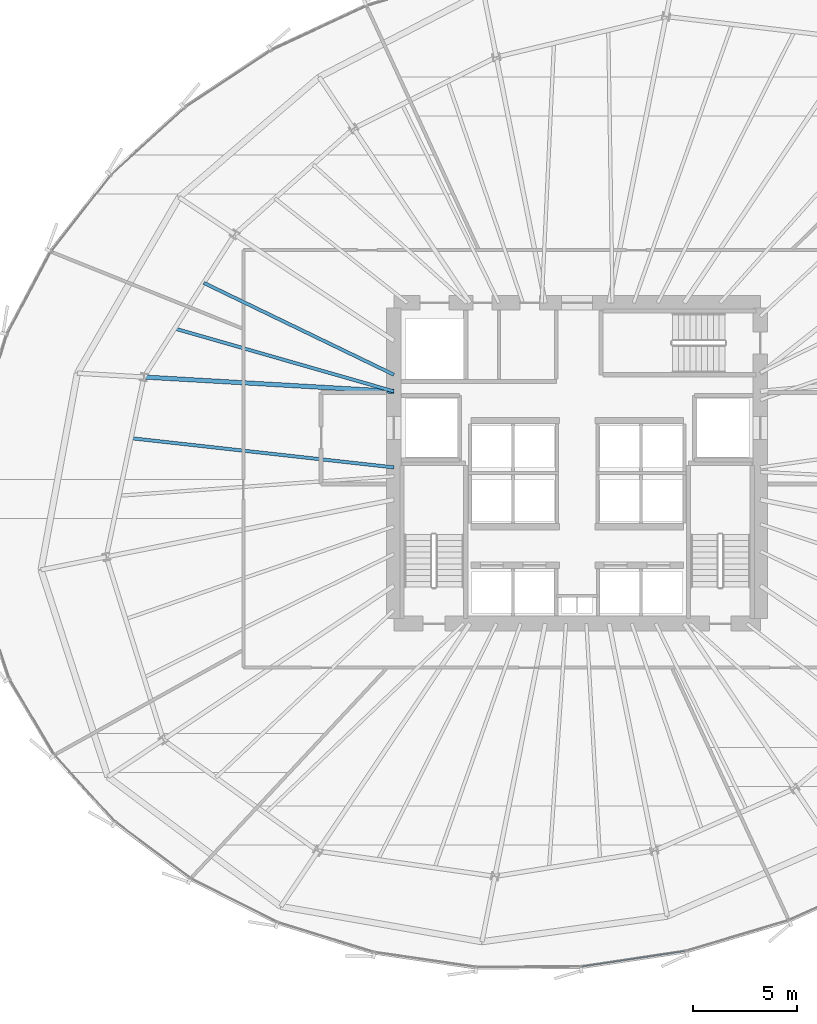
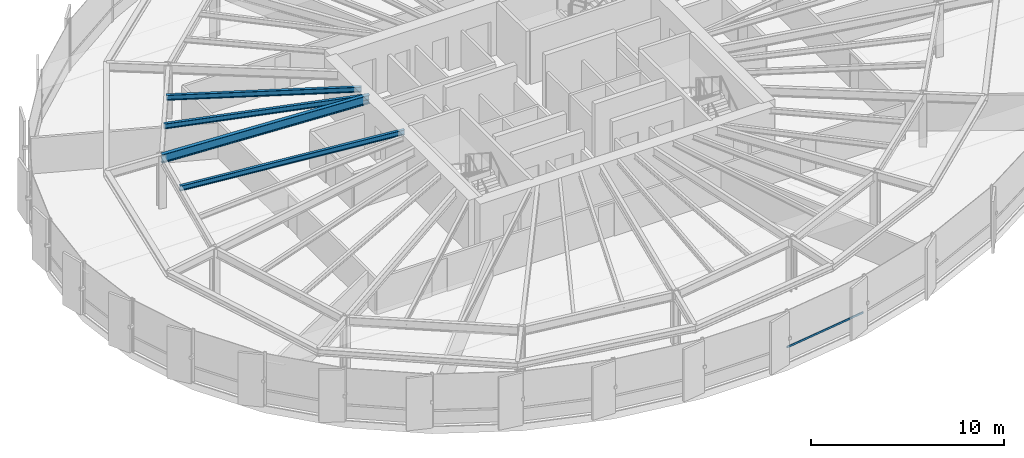
# One storey, part 10 of 35: 4 beams, 1 member, 1 element without a shape of its own.
"""IFC4 building model written with IfcOpenShell, lengths in metres."""

from ifc_helpers import new_model, si_unit, direction, frame, origin, origin_2d, place, context, subcontext, project, spatial, hollow_rectangle, i_section, extrude, source, transform, mapped, material, layer, layer_set, material_profile, profile_set, type_object, element, aggregate, save


model = new_model("IFC4")

# Units and contexts
model_context = context("Model", 3, precision=1e-05, world=origin(), true_north=direction((0.0, 1.0)))
body_context = subcontext(model_context, "Body", "Model", "MODEL_VIEW")
ifc_project = project(units=[si_unit("LENGTHUNIT", "METRE"), si_unit("AREAUNIT", "SQUARE_METRE"), si_unit("VOLUMEUNIT", "CUBIC_METRE"), si_unit("PLANEANGLEUNIT", "RADIAN"), si_unit("MASSUNIT", "GRAM", prefix="KILO"), si_unit("THERMODYNAMICTEMPERATUREUNIT", "KELVIN")], contexts=[model_context])

# Site, building, storey
site_placement = place(None, origin())
site = spatial("IfcSite", under=ifc_project, at=site_placement, CompositionType="ELEMENT")
building_placement = place(site_placement, origin())
building = spatial("IfcBuilding", under=site, at=building_placement, Name="Kethvar Cultural Tower", CompositionType="ELEMENT")
storey_placement = place(building_placement, frame((0.0, 0.0, 85.60009765625)))
storey = spatial("IfcBuildingStorey", under=building, at=storey_placement, Name="L20", CompositionType="ELEMENT", Elevation=85.60009765625)

# Beams
ifc_material_1 = material(Name="Steel S355J2", Category="steel")
ifc_material_profile_1 = material_profile(ifc_material_1, i_section(OverallWidth=0.2099609375, OverallDepth=0.550048828125, WebThickness=0.010986328125, FlangeThickness=0.01708984375, FilletRadius=0.02392578125, at=origin_2d()), Name="Steel S355J2 — IPE550")
ifc_profile_set_1 = profile_set([ifc_material_profile_1], Name="Steel S355J2 — IPE550")
beam_type_1 = type_object("IfcBeamType", Name="BM-IPE550", PredefinedType="BEAM", material=ifc_profile_set_1)
shared_shape_1 = source(origin(), body_context, "Body", "SweptSolid", [
    extrude(i_section(OverallWidth=0.2099609375, OverallDepth=0.550048828125, WebThickness=0.010986328125, FlangeThickness=0.01708984375, FilletRadius=0.02392578125, at=origin_2d()), origin(), (0.0, 0.0, 1.0), 12.03125),
])
beam_1_placement = place(storey_placement, frame((38.0, 31.25, 3.072998046875), z_axis=(-0.998355544741, 0.057325441856, 0.0), x_axis=(-0.057325441856, -0.998355544741, 0.0)))
element("IfcBeam", 1, at=beam_1_placement, inside=storey, type_object=beam_type_1, Name="L20 Primary Radial Beam RB-08", PredefinedType="BEAM", context=body_context, shape_type="MappedRepresentation", body=[
    mapped(shared_shape_1, transform((0.0, 0.0, 0.0), scale=1.0)),
])
ifc_material_profile_2 = material_profile(ifc_material_1, i_section(OverallWidth=0.159912109375, OverallDepth=0.330078125, WebThickness=0.007568359375, FlangeThickness=0.011474609375, FilletRadius=0.01806640625, at=origin_2d()), Name="Steel S355J2 — IPE330")
ifc_profile_set_2 = profile_set([ifc_material_profile_2], Name="Steel S355J2 — IPE330")
beam_type_2 = type_object("IfcBeamType", Name="BM-J330", PredefinedType="JOIST", material=ifc_profile_set_2)
shared_shape_2 = source(origin(), body_context, "Body", "SweptSolid", [
    extrude(i_section(OverallWidth=0.159912109375, OverallDepth=0.330078125, WebThickness=0.007568359375, FlangeThickness=0.011474609375, FilletRadius=0.01806640625, at=origin_2d()), origin(), (0.0, 0.0, 1.0), 10.1455078125),
])
beam_2_placement = place(storey_placement, frame((38.0, 32.05078125, 3.182861328125), z_axis=(-0.90045122575, 0.434956997927, 0.0), x_axis=(-0.434956997927, -0.90045122575, 0.0)))
element("IfcBeam", 2, at=beam_2_placement, inside=storey, type_object=beam_type_2, Name="L20 Composite Floor Joist J-07A", PredefinedType="JOIST", context=body_context, shape_type="MappedRepresentation", body=[
    mapped(shared_shape_2, transform((0.0, 0.0, 0.0), scale=1.0)),
])
shared_shape_3 = source(origin(), body_context, "Body", "SweptSolid", [
    extrude(i_section(OverallWidth=0.159912109375, OverallDepth=0.330078125, WebThickness=0.007568359375, FlangeThickness=0.011474609375, FilletRadius=0.01806640625, at=origin_2d()), origin(), (0.0, 0.0, 1.0), 10.95458984375),
])
beam_3_placement = place(storey_placement, frame((38.0, 31.25, 3.182861328125), z_axis=(-0.96124170623, 0.275707058676, 0.0), x_axis=(-0.275707058676, -0.96124170623, 0.0)))
element("IfcBeam", 3, at=beam_3_placement, inside=storey, type_object=beam_type_2, Name="L20 Composite Floor Joist J-07B", PredefinedType="JOIST", context=body_context, shape_type="MappedRepresentation", body=[
    mapped(shared_shape_3, transform((0.0, 0.0, 0.0), scale=1.0)),
])
shared_shape_4 = source(origin(), body_context, "Body", "SweptSolid", [
    extrude(i_section(OverallWidth=0.159912109375, OverallDepth=0.330078125, WebThickness=0.007568359375, FlangeThickness=0.011474609375, FilletRadius=0.01806640625, at=origin_2d()), origin(), (0.0, 0.0, 1.0), 12.7021484375),
])
beam_4_placement = place(storey_placement, frame((38.0, 27.60009765625, 3.182861328125), z_axis=(-0.993884906591, 0.110420978309, 0.0), x_axis=(-0.110420978309, -0.993884906591, 0.0)))
element("IfcBeam", 4, at=beam_4_placement, inside=storey, type_object=beam_type_2, Name="L20 Composite Floor Joist J-08A", PredefinedType="JOIST", context=body_context, shape_type="MappedRepresentation", body=[
    mapped(shared_shape_4, transform((0.0, 0.0, 0.0), scale=1.0)),
])

# Curtain wall, member
ifc_material_2 = material(Name="Aluminium 6063-T6", Category="aluminium")
ifc_layer = layer(ifc_material_2, 0.179931640625, Name="Aluminium 6063-T6", Category="aluminium")
ifc_layer_set = layer_set([ifc_layer], Name="Aluminium 6063-T6 (180 mm)")
curtain_wall_type = type_object("IfcCurtainWallType", Name="CW-SYS-03-Z2", PredefinedType="NOTDEFINED", material=ifc_layer_set)
curtain_wall_placement = place(storey_placement, origin())
curtain_wall = element("IfcCurtainWall", 5, at=curtain_wall_placement, inside=storey, type_object=curtain_wall_type, Name="L20 Curtain Wall Run 05", PredefinedType="NOTDEFINED")
ifc_material_profile_3 = material_profile(ifc_material_2, hollow_rectangle(XDim=0.054931640625, YDim=0.1201171875, WallThickness=0.00390625, at=origin_2d()), Name="Aluminium 6063-T6 — RHS120x55x4")
ifc_profile_set_3 = profile_set([ifc_material_profile_3], Name="Aluminium 6063-T6 — RHS120x55x4")
member_type = type_object("IfcMemberType", Name="CW-SYS-03-Z2-TRN", PredefinedType="USERDEFINED", material=ifc_profile_set_3)
shared_shape_5 = source(origin(), body_context, "Body", "SweptSolid", [
    extrude(hollow_rectangle(XDim=0.054931640625, YDim=0.1201171875, WallThickness=0.00390625, at=origin_2d()), origin(), (0.0, 0.0, 1.0), 5.03564453125),
])
member_placement = place(storey_placement, frame((47.021240234375, 3.62451171875, 0.949951171875), z_axis=(0.989021535505, 0.147771452952, 0.0), x_axis=(-0.147771452952, 0.989021535505, 0.0)))
member = element("IfcMember", 6, at=member_placement, type_object=member_type, Name="CW-L20-R05 Transom 3", ObjectType="TRANSOM", PredefinedType="USERDEFINED", context=body_context, shape_type="MappedRepresentation", body=[
    mapped(shared_shape_5, transform((0.0, 0.0, 0.0), scale=1.0)),
])
aggregate(curtain_wall, [member])

save(model, "model.ifc")
